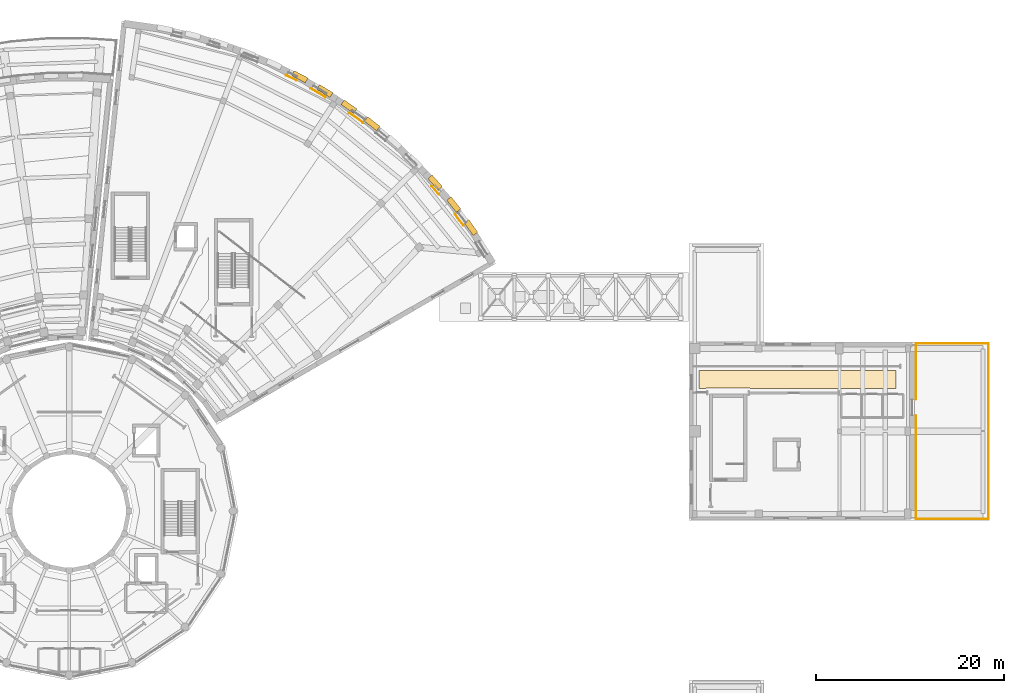
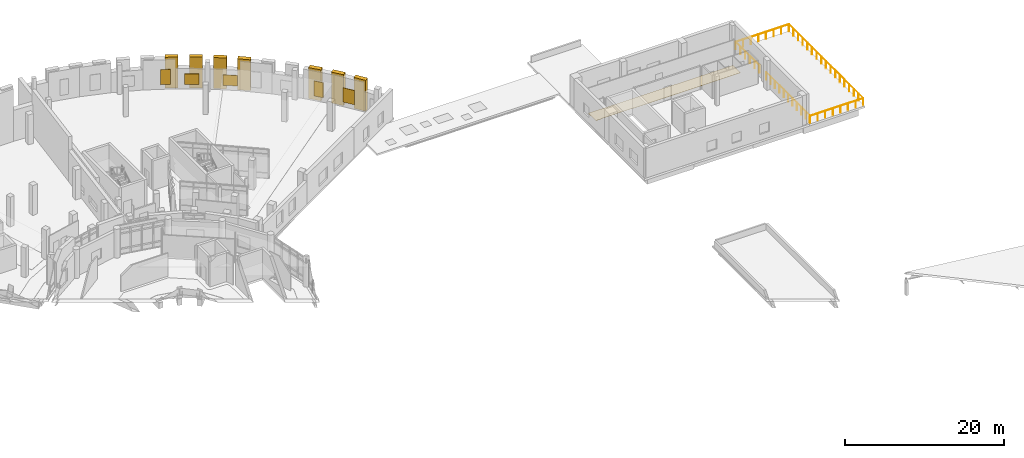
# One storey, part 49 of 49: 13 coverings, 5 railings.
"""IFC4 building model written with IfcOpenShell, lengths in metres."""

from ifc_helpers import new_model, si_unit, direction, frame, origin, origin_2d, place, context, subcontext, project, spatial, polyline, rectangle, circle, outline, extrude, material, layer, layer_set, type_object, element, save


model = new_model("IFC4")

# Units and contexts
model_context = context("Model", 3, precision=1e-05, world=origin(), true_north=direction((0.0, 1.0)))
body_context = subcontext(model_context, "Body", "Model", "MODEL_VIEW")
ifc_project = project(units=[si_unit("LENGTHUNIT", "METRE"), si_unit("AREAUNIT", "SQUARE_METRE"), si_unit("VOLUMEUNIT", "CUBIC_METRE"), si_unit("PLANEANGLEUNIT", "RADIAN"), si_unit("MASSUNIT", "GRAM", prefix="KILO")], contexts=[model_context])

# Site, building, storey
site_placement = place(None, origin())
site = spatial("IfcSite", under=ifc_project, at=site_placement, CompositionType="ELEMENT")
building_placement = place(site_placement, origin())
building = spatial("IfcBuilding", under=site, at=building_placement, Name="Soyqirgoq Riverine Aquarium", CompositionType="ELEMENT")
storey_placement = place(building_placement, frame((0.0, 0.0, 15.0)))
storey = spatial("IfcBuildingStorey", under=building, at=storey_placement, Name="L04", CompositionType="ELEMENT", Elevation=15.0)

# Coverings
ifc_material_1 = material(Name="Anodised extruded aluminium sunshade", Category="aluminium")
covering_type_1 = type_object("IfcCoveringType", Name="SolarShadingLouvre_450", PredefinedType="USERDEFINED", material=ifc_material_1)
covering_1_placement = place(storey_placement, frame((79.61865234375, 103.130615234375, 0.75), z_axis=(0.0, 0.0, 1.0), x_axis=(0.896872741533, -0.442288690219, 0.0)))
element("IfcCovering", 1, at=covering_1_placement, inside=storey, type_object=covering_type_1, Name="V5 L04 Travertine Niche Solar Shade 0099", ObjectType="SOLAR_SHADING", PredefinedType="USERDEFINED", context=body_context, shape_type="SweptSolid", body=[
    extrude(rectangle(XDim=1.239990234375, YDim=0.080078125, at=origin_2d()), origin(), (0.0, 0.0, 1.0), 2.300048828125),
])
for number, where, z_axis, x_axis, name in (
    (2, (82.494873046875, 101.533935546875, 0.75), (0.0, 0.0, 1.0), (0.859406411501, -0.511293086077, 0.0), "V5 L04 Travertine Niche Solar Shade 0100"),
    (3, (86.54443359375, 98.867919921875, 0.75), (0.0, 0.0, 1.0), (0.816641555162, -0.577145190037, 0.0), "V5 L04 Travertine Niche Solar Shade 0101"),
):
    element("IfcCovering", number, at=place(storey_placement, frame(where, z_axis=z_axis, x_axis=x_axis)), inside=storey, type_object=covering_type_1, Name=name, ObjectType="SOLAR_SHADING", PredefinedType="USERDEFINED", context=body_context, shape_type="SweptSolid", body=[
        extrude(rectangle(XDim=1.840087890625, YDim=0.080078125, at=origin_2d()), origin(), (0.0, 0.0, 1.0), 1.60009765625),
    ])
covering_2_placement = place(storey_placement, frame((94.960205078125, 91.1669921875, 0.75), z_axis=(0.0, 0.0, 1.0), x_axis=(0.6593458151, -0.751839807479, 0.0)))
element("IfcCovering", 4, at=covering_2_placement, inside=storey, type_object=covering_type_1, Name="V5 L04 Travertine Niche Solar Shade 0104", ObjectType="SOLAR_SHADING", PredefinedType="USERDEFINED", context=body_context, shape_type="SweptSolid", body=[
    extrude(rectangle(XDim=1.239990234375, YDim=0.080078125, at=origin_2d()), origin(), (0.0, 0.0, 1.0), 2.300048828125),
])
covering_3_placement = place(storey_placement, frame((97.5205078125, 88.0048828125, 0.75), z_axis=(0.0, 0.0, 1.0), x_axis=(0.598324600571, -0.801253812691, 0.0)))
element("IfcCovering", 5, at=covering_3_placement, inside=storey, type_object=covering_type_1, Name="V5 L04 Travertine Niche Solar Shade 0105", ObjectType="SOLAR_SHADING", PredefinedType="USERDEFINED", context=body_context, shape_type="SweptSolid", body=[
    extrude(rectangle(XDim=1.5400390625, YDim=0.080078125, at=origin_2d()), origin(), (0.0, 0.0, 1.0), 2.199951171875),
])

# Railings
ifc_material_2 = material(Name="Laminated safety glass and stainless steel balustrade", Category="steel")
railing_type = type_object("IfcRailingType", Name="TerraceGuard_1150", PredefinedType="BALUSTRADE", material=ifc_material_2)
railing_1_placement = place(storey_placement, frame((146.139892578125, 56.139892578125, 0.0)))
element("IfcRailing", 6, at=railing_1_placement, inside=storey, type_object=railing_type, Name="V7 L04 Terrace Perimeter Balustrade 090", PredefinedType="BALUSTRADE", context=body_context, shape_type="SweptSolid", body=[
    extrude(circle(Radius=0.02392578125, at=origin_2d()), frame((0.0, 0.0, 1.1259765625), z_axis=(0.0, 1.0, 0.0), x_axis=(-1.0, 0.0, 0.0)), (0.0, 0.0, 1.0), 11.0224609375),
    extrude(circle(Radius=0.02099609375, at=origin_2d()), origin(), (0.0, 0.0, 1.0), 1.101806640625),
    extrude(circle(Radius=0.02099609375, at=origin_2d()), frame((0.0, 1.102294921875, 0.0)), (0.0, 0.0, 1.0), 1.101806640625),
    extrude(circle(Radius=0.02099609375, at=origin_2d()), frame((0.0, 2.20458984375, 0.0)), (0.0, 0.0, 1.0), 1.101806640625),
    extrude(circle(Radius=0.02099609375, at=origin_2d()), frame((0.0, 3.306640625, 0.0)), (0.0, 0.0, 1.0), 1.101806640625),
    extrude(circle(Radius=0.02099609375, at=origin_2d()), frame((0.0, 4.408935546875, 0.0)), (0.0, 0.0, 1.0), 1.101806640625),
    extrude(circle(Radius=0.02099609375, at=origin_2d()), frame((0.0, 5.51123046875, 0.0)), (0.0, 0.0, 1.0), 1.101806640625),
    extrude(circle(Radius=0.02099609375, at=origin_2d()), frame((0.0, 6.613525390625, 0.0)), (0.0, 0.0, 1.0), 1.101806640625),
    extrude(circle(Radius=0.02099609375, at=origin_2d()), frame((0.0, 7.7158203125, 0.0)), (0.0, 0.0, 1.0), 1.101806640625),
    extrude(circle(Radius=0.02099609375, at=origin_2d()), frame((0.0, 8.81787109375, 0.0)), (0.0, 0.0, 1.0), 1.101806640625),
    extrude(circle(Radius=0.02099609375, at=origin_2d()), frame((0.0, 9.920166015625, 0.0)), (0.0, 0.0, 1.0), 1.101806640625),
    extrude(circle(Radius=0.02099609375, at=origin_2d()), frame((0.0, 11.0224609375, 0.0)), (0.0, 0.0, 1.0), 1.101806640625),
])
railing_2_placement = place(storey_placement, frame((146.139892578125, 68.892578125, 0.0)))
element("IfcRailing", 7, at=railing_2_placement, inside=storey, type_object=railing_type, Name="V7 L04 Terrace Perimeter Balustrade 091", PredefinedType="BALUSTRADE", context=body_context, shape_type="SweptSolid", body=[
    extrude(circle(Radius=0.02392578125, at=origin_2d()), frame((0.0, 0.0, 1.1259765625), z_axis=(0.0, 1.0, 0.0), x_axis=(-1.0, 0.0, 0.0)), (0.0, 0.0, 1.0), 5.967529296875),
    extrude(circle(Radius=0.02099609375, at=origin_2d()), origin(), (0.0, 0.0, 1.0), 1.101806640625),
    extrude(circle(Radius=0.02099609375, at=origin_2d()), frame((0.0, 1.193603515625, 0.0)), (0.0, 0.0, 1.0), 1.101806640625),
    extrude(circle(Radius=0.02099609375, at=origin_2d()), frame((0.0, 2.386962890625, 0.0)), (0.0, 0.0, 1.0), 1.101806640625),
    extrude(circle(Radius=0.02099609375, at=origin_2d()), frame((0.0, 3.58056640625, 0.0)), (0.0, 0.0, 1.0), 1.101806640625),
    extrude(circle(Radius=0.02099609375, at=origin_2d()), frame((0.0, 4.77392578125, 0.0)), (0.0, 0.0, 1.0), 1.101806640625),
    extrude(circle(Radius=0.02099609375, at=origin_2d()), frame((0.0, 5.967529296875, 0.0)), (0.0, 0.0, 1.0), 1.101806640625),
])
railing_3_placement = place(storey_placement, frame((146.139892578125, 74.860107421875, 0.0)))
element("IfcRailing", 8, at=railing_3_placement, inside=storey, type_object=railing_type, Name="V7 L04 Terrace Perimeter Balustrade 092", PredefinedType="BALUSTRADE", context=body_context, shape_type="SweptSolid", body=[
    extrude(circle(Radius=0.02392578125, at=origin_2d()), frame((0.0, 0.0, 1.1259765625), z_axis=(1.0, 0.0, 0.0), x_axis=(0.0, 1.0, 0.0)), (0.0, 0.0, 1.0), 7.72021484375),
    extrude(circle(Radius=0.02099609375, at=origin_2d()), origin(), (0.0, 0.0, 1.0), 1.101806640625),
    extrude(circle(Radius=0.02099609375, at=origin_2d()), frame((1.102783203125, 0.0, 0.0)), (0.0, 0.0, 1.0), 1.101806640625),
    extrude(circle(Radius=0.02099609375, at=origin_2d()), frame((2.205810546875, 0.0, 0.0)), (0.0, 0.0, 1.0), 1.101806640625),
    extrude(circle(Radius=0.02099609375, at=origin_2d()), frame((3.30859375, 0.0, 0.0)), (0.0, 0.0, 1.0), 1.101806640625),
    extrude(circle(Radius=0.02099609375, at=origin_2d()), frame((4.41162109375, 0.0, 0.0)), (0.0, 0.0, 1.0), 1.101806640625),
    extrude(circle(Radius=0.02099609375, at=origin_2d()), frame((5.514404296875, 0.0, 0.0)), (0.0, 0.0, 1.0), 1.101806640625),
    extrude(circle(Radius=0.02099609375, at=origin_2d()), frame((6.617431640625, 0.0, 0.0)), (0.0, 0.0, 1.0), 1.101806640625),
    extrude(circle(Radius=0.02099609375, at=origin_2d()), frame((7.72021484375, 0.0, 0.0)), (0.0, 0.0, 1.0), 1.101806640625),
])
railing_4_placement = place(storey_placement, frame((153.860107421875, 74.860107421875, 0.0)))
element("IfcRailing", 9, at=railing_4_placement, inside=storey, type_object=railing_type, Name="V7 L04 Terrace Perimeter Balustrade 093", PredefinedType="BALUSTRADE", context=body_context, shape_type="SweptSolid", body=[
    extrude(circle(Radius=0.02392578125, at=origin_2d()), frame((0.0, 0.0, 1.1259765625), z_axis=(0.0, -1.0, 0.0), x_axis=(1.0, 0.0, 0.0)), (0.0, 0.0, 1.0), 18.72021484375),
    extrude(circle(Radius=0.02099609375, at=origin_2d()), origin(), (0.0, 0.0, 1.0), 1.101806640625),
    extrude(circle(Radius=0.02099609375, at=origin_2d()), frame((0.0, -1.169921875, 0.0)), (0.0, 0.0, 1.0), 1.101806640625),
    extrude(circle(Radius=0.02099609375, at=origin_2d()), frame((0.0, -2.340087890625, 0.0)), (0.0, 0.0, 1.0), 1.101806640625),
    extrude(circle(Radius=0.02099609375, at=origin_2d()), frame((0.0, -3.510009765625, 0.0)), (0.0, 0.0, 1.0), 1.101806640625),
    extrude(circle(Radius=0.02099609375, at=origin_2d()), frame((0.0, -4.68017578125, 0.0)), (0.0, 0.0, 1.0), 1.101806640625),
    extrude(circle(Radius=0.02099609375, at=origin_2d()), frame((0.0, -5.85009765625, 0.0)), (0.0, 0.0, 1.0), 1.101806640625),
    extrude(circle(Radius=0.02099609375, at=origin_2d()), frame((0.0, -7.02001953125, 0.0)), (0.0, 0.0, 1.0), 1.101806640625),
    extrude(circle(Radius=0.02099609375, at=origin_2d()), frame((0.0, -8.190185546875, 0.0)), (0.0, 0.0, 1.0), 1.101806640625),
    extrude(circle(Radius=0.02099609375, at=origin_2d()), frame((0.0, -9.360107421875, 0.0)), (0.0, 0.0, 1.0), 1.101806640625),
    extrude(circle(Radius=0.02099609375, at=origin_2d()), frame((0.0, -10.530029296875, 0.0)), (0.0, 0.0, 1.0), 1.101806640625),
    extrude(circle(Radius=0.02099609375, at=origin_2d()), frame((0.0, -11.7001953125, 0.0)), (0.0, 0.0, 1.0), 1.101806640625),
    extrude(circle(Radius=0.02099609375, at=origin_2d()), frame((0.0, -12.8701171875, 0.0)), (0.0, 0.0, 1.0), 1.101806640625),
    extrude(circle(Radius=0.02099609375, at=origin_2d()), frame((0.0, -14.0400390625, 0.0)), (0.0, 0.0, 1.0), 1.101806640625),
    extrude(circle(Radius=0.02099609375, at=origin_2d()), frame((0.0, -15.210205078125, 0.0)), (0.0, 0.0, 1.0), 1.101806640625),
    extrude(circle(Radius=0.02099609375, at=origin_2d()), frame((0.0, -16.380126953125, 0.0)), (0.0, 0.0, 1.0), 1.101806640625),
    extrude(circle(Radius=0.02099609375, at=origin_2d()), frame((0.0, -17.55029296875, 0.0)), (0.0, 0.0, 1.0), 1.101806640625),
    extrude(circle(Radius=0.02099609375, at=origin_2d()), frame((0.0, -18.72021484375, 0.0)), (0.0, 0.0, 1.0), 1.101806640625),
])
railing_5_placement = place(storey_placement, frame((153.860107421875, 56.139892578125, 0.0)))
element("IfcRailing", 10, at=railing_5_placement, inside=storey, type_object=railing_type, Name="V7 L04 Terrace Perimeter Balustrade 094", PredefinedType="BALUSTRADE", context=body_context, shape_type="SweptSolid", body=[
    extrude(circle(Radius=0.02392578125, at=origin_2d()), frame((0.0, 0.0, 1.1259765625), z_axis=(-1.0, 0.0, 0.0), x_axis=(0.0, -1.0, 0.0)), (0.0, 0.0, 1.0), 7.72021484375),
    extrude(circle(Radius=0.02099609375, at=origin_2d()), origin(), (0.0, 0.0, 1.0), 1.101806640625),
    extrude(circle(Radius=0.02099609375, at=origin_2d()), frame((-1.102783203125, 0.0, 0.0)), (0.0, 0.0, 1.0), 1.101806640625),
    extrude(circle(Radius=0.02099609375, at=origin_2d()), frame((-2.205810546875, 0.0, 0.0)), (0.0, 0.0, 1.0), 1.101806640625),
    extrude(circle(Radius=0.02099609375, at=origin_2d()), frame((-3.30859375, 0.0, 0.0)), (0.0, 0.0, 1.0), 1.101806640625),
    extrude(circle(Radius=0.02099609375, at=origin_2d()), frame((-4.41162109375, 0.0, 0.0)), (0.0, 0.0, 1.0), 1.101806640625),
    extrude(circle(Radius=0.02099609375, at=origin_2d()), frame((-5.514404296875, 0.0, 0.0)), (0.0, 0.0, 1.0), 1.101806640625),
    extrude(circle(Radius=0.02099609375, at=origin_2d()), frame((-6.617431640625, 0.0, 0.0)), (0.0, 0.0, 1.0), 1.101806640625),
    extrude(circle(Radius=0.02099609375, at=origin_2d()), frame((-7.72021484375, 0.0, 0.0)), (0.0, 0.0, 1.0), 1.101806640625),
])

# Coverings
ifc_material_3 = material(Name="Polished Chirchiq river-pebble terrazzo flooring", Category="concrete")
ifc_layer = layer(ifc_material_3, 0.030029296875)
ifc_layer_set = layer_set([ifc_layer], Name="Polished Chirchiq river-pebble terrazzo flooring")
covering_type_2 = type_object("IfcCoveringType", Name="TerrazzoFloorFinish_30", PredefinedType="FLOORING", material=ifc_layer_set)
covering_4_placement = place(storey_placement, origin())
element("IfcCovering", 11, at=covering_4_placement, inside=storey, type_object=covering_type_2, Name="Environmental Plant Corridor Floor Finish", PredefinedType="FLOORING", context=body_context, shape_type="SweptSolid", body=[
    extrude(outline(polyline([(123.050048828125, 70.050048828125), (123.050048828125, 71.949951171875), (144.050048828125, 71.949951171875), (144.050048828125, 70.050048828125), (128.554931640625, 70.050048828125), (128.52197265625, 70.06591796875), (128.48095703125, 70.0810546875), (128.43798828125, 70.091064453125), (128.39404296875, 70.097900390625), (128.35009765625, 70.10009765625), (123.949951171875, 70.10009765625), (123.906005859375, 70.097900390625), (123.862060546875, 70.091064453125), (123.819091796875, 70.0810546875), (123.778076171875, 70.06591796875), (123.7451171875, 70.050048828125), (123.050048828125, 70.050048828125)])), origin(), (0.0, 0.0, 1.0), 0.030029296875),
])
ifc_material_4 = material(Name="Honed Uzbek travertine limestone vertical niche pier", Category="masonry")
covering_type_3 = type_object("IfcCoveringType", Name="TravertineNichePier_550", PredefinedType="CLADDING", material=ifc_material_4)
for number, where, z_axis, x_axis, name in (
    (12, (98.777587890625, 87.17626953125, 0.0), (0.0, 0.0, 1.0), (0.817144898335, 0.57643231617, 0.0), "V5 L04 Travertine Vertical Niche Pier 157"),
    (13, (96.93896484375, 89.627197265625, 0.0), (0.0, 0.0, 1.0), (0.782064612424, 0.623197353969, 0.0), "V5 L04 Travertine Vertical Niche Pier 158"),
    (14, (94.9599609375, 91.96630859375, 0.0), (0.0, 0.0, 1.0), (0.744194976126, 0.66796245217, 0.0), "V5 L04 Travertine Vertical Niche Pier 159"),
    (15, (88.251953125, 98.235107421875, 0.0), (0.0, 0.0, 1.0), (0.616073992379, 0.787688286008, 0.0), "V5 L04 Travertine Vertical Niche Pier 162"),
    (16, (85.784423828125, 100.05126953125, 0.0), (0.0, 0.0, 1.0), (0.568992506345, 0.82234270698, 0.0), "V5 L04 Travertine Vertical Niche Pier 163"),
    (17, (83.21484375, 101.719970703125, 0.0), (0.0, 0.0, 1.0), (0.519817342621, 0.854277431699, 0.0), "V5 L04 Travertine Vertical Niche Pier 164"),
    (18, (80.552001953125, 103.235595703125, 0.0), (0.0, 0.0, 1.0), (0.469009188174, 0.883193286551, 0.0), "V5 L04 Travertine Vertical Niche Pier 165"),
):
    element("IfcCovering", number, at=place(storey_placement, frame(where, z_axis=z_axis, x_axis=x_axis)), inside=storey, type_object=covering_type_3, Name=name, PredefinedType="CLADDING", context=body_context, shape_type="SweptSolid", body=[
        extrude(rectangle(XDim=0.60009765625, YDim=1.64990234375, at=origin_2d()), origin(), (0.0, 0.0, 1.0), 4.75),
    ])

save(model, "model.ifc")
